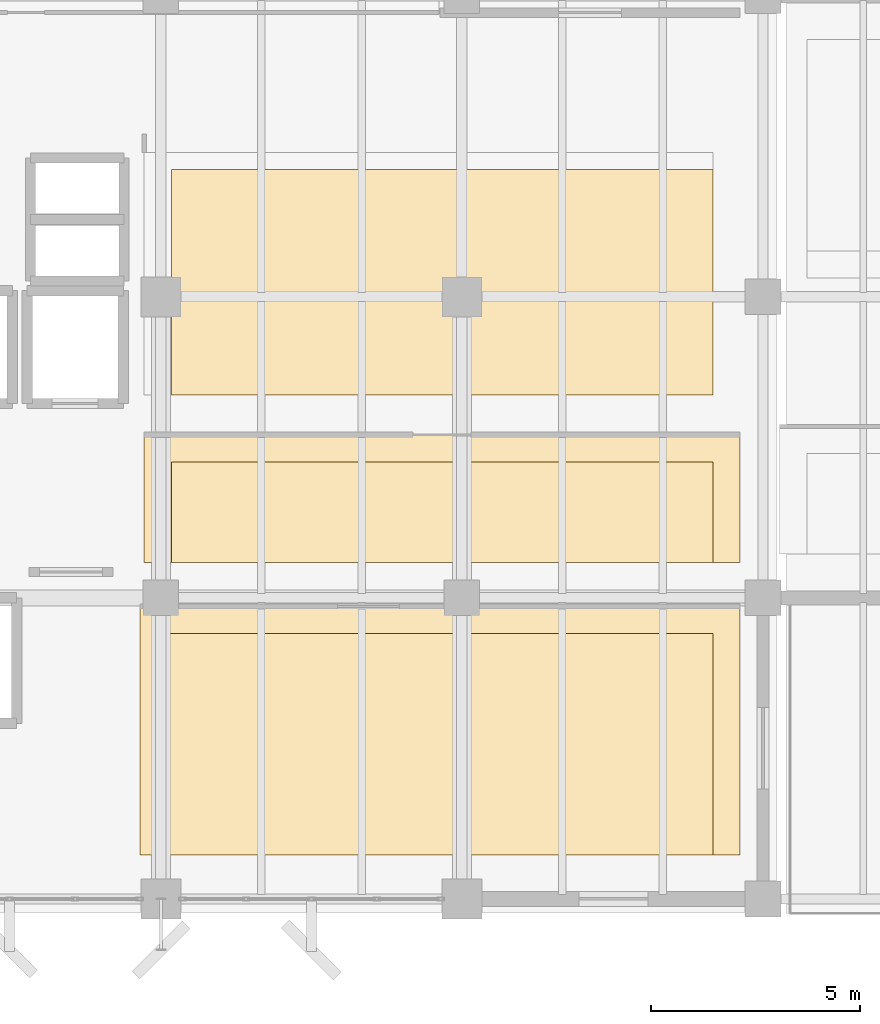
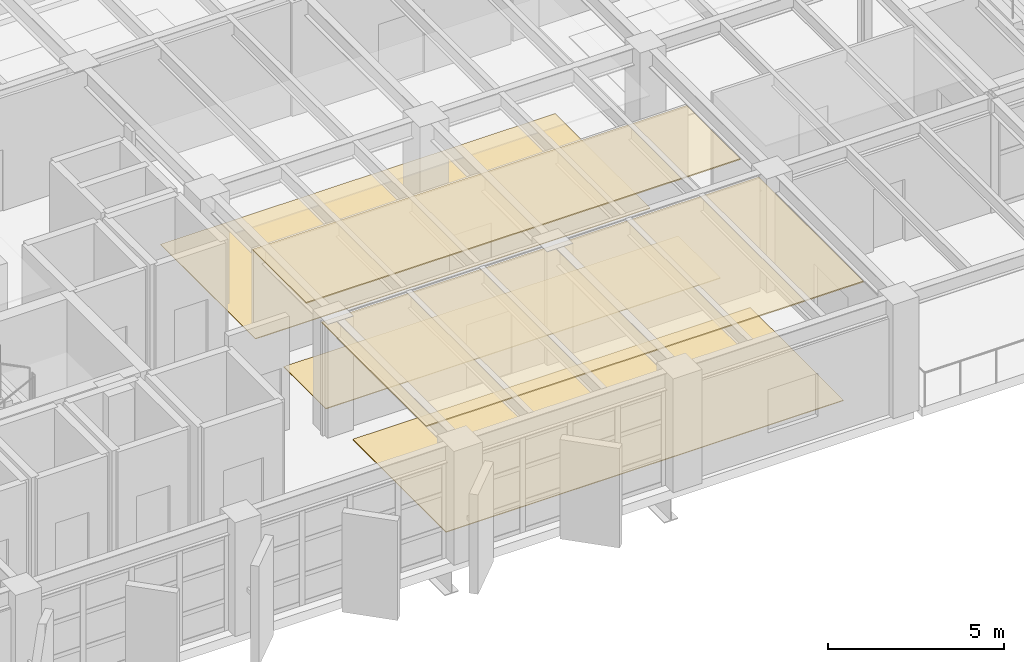
# One storey, part 51 of 59: 5 coverings.
"""IFC4 building model written with IfcOpenShell, lengths in metres."""

import ifcopenshell
import ifcopenshell.guid

model = None  # the IFC model being written
_history = None  # IfcOwnerHistory: only IFC2X3 demands one
_inside = {}  # id of a spatial element -> (the spatial element, [elements in it])
_under = {}  # id of a project, library or spatial element -> (it, [spatial elements below it])
_declared = {}  # id of a project -> (the project, [libraries it declares])
_typed = {}  # id of a type object -> (the type object, [elements of that type])
_made_of = {}  # id of a material, layer set ... -> (it, [elements and type objects made of it])


def new_model(schema):
    """Start an empty IFC model of exactly this schema.

    Asked for "IFC4X3", IfcOpenShell would pick the latest addendum, in which some entities
    have other attributes; the version numbers below select the first issue.
    IFC2X3 requires an IfcOwnerHistory on every rooted entity: one is made here for all.
    """
    global model, _history
    if schema == "IFC4X3":
        model = ifcopenshell.file(schema_version=(4, 3, 0, 0))
    else:
        model = ifcopenshell.file(schema=schema)
    _inside.clear()
    _under.clear()
    _declared.clear()
    _typed.clear()
    _made_of.clear()
    _history = None
    if model.schema == "IFC2X3":
        org = make("IfcOrganization", Name="unknown")
        user = make(
            "IfcPersonAndOrganization",
            ThePerson=make("IfcPerson", FamilyName="unknown"),
            TheOrganization=org,
        )
        app = make(
            "IfcApplication",
            ApplicationDeveloper=org,
            Version="unknown",
            ApplicationFullName="unknown",
            ApplicationIdentifier="unknown",
        )
        _history = make(
            "IfcOwnerHistory",
            OwningUser=user,
            OwningApplication=app,
            ChangeAction="ADDED",
            CreationDate=0,
        )
    return model


def make(cls, **values):
    """One entity of the class cls with the attributes given. An attribute that is None is left unset."""
    return model.create_entity(
        cls, **{name: value for name, value in values.items() if value is not None}
    )


def rooted(cls, **values):
    """An entity with a GlobalId (a new one), such as an element, a storey or a relation."""
    return make(cls, GlobalId=ifcopenshell.guid.new(), OwnerHistory=_history, **values)


def si_unit(unit_type, name, prefix=None):
    """IfcSIUnit, for example si_unit("LENGTHUNIT", "METRE", prefix="MILLI")."""
    return make("IfcSIUnit", UnitType=unit_type, Prefix=prefix, Name=name)


def assignment(units):
    """IfcUnitAssignment: the units of a project."""
    return None if units is None else make("IfcUnitAssignment", Units=units)


def point(xyz):
    """IfcCartesianPoint."""
    return None if xyz is None else make("IfcCartesianPoint", Coordinates=xyz)


def direction(xyz):
    """IfcDirection."""
    return None if xyz is None else make("IfcDirection", DirectionRatios=xyz)


def frame(location, z_axis=None, x_axis=None):
    """IfcAxis2Placement3D, a coordinate frame: its origin and axes. An axis left out is left unset."""
    return make(
        "IfcAxis2Placement3D",
        Location=point(location),
        Axis=direction(z_axis),
        RefDirection=direction(x_axis),
    )


def origin():
    """The frame at (0, 0, 0) with its axes left unset."""
    return frame((0.0, 0.0, 0.0))


def place(relative_to, where):
    """IfcLocalPlacement: puts the frame where relative to a parent placement (None: the world)."""
    return make(
        "IfcLocalPlacement", PlacementRelTo=relative_to, RelativePlacement=where
    )


def context(
    kind, dimensions, precision=None, world=None, true_north=None, identifier=None
):
    """IfcGeometricRepresentationContext, for example the 3D "Model" context."""
    return make(
        "IfcGeometricRepresentationContext",
        ContextIdentifier=identifier,
        ContextType=kind,
        CoordinateSpaceDimension=dimensions,
        Precision=precision,
        WorldCoordinateSystem=world,
        TrueNorth=true_north,
    )


def subcontext(parent, identifier, kind, view, scale=None):
    """IfcGeometricRepresentationSubContext, for example "Body" below "Model"."""
    return make(
        "IfcGeometricRepresentationSubContext",
        ContextIdentifier=identifier,
        ContextType=kind,
        ParentContext=parent,
        TargetScale=scale,
        TargetView=view,
    )


def project(units=None, contexts=None):
    """IfcProject with its units and contexts."""
    return rooted(
        "IfcProject",
        Name="project",
        RepresentationContexts=contexts,
        UnitsInContext=assignment(units),
    )


def spatial(cls, under=None, at=None, **own):
    """A site, building, storey or space (cls), placed at a placement, below another one or the project."""
    s = rooted(cls, ObjectPlacement=at, **own)
    if under is not None:
        _under.setdefault(under.id(), (under, []))[1].append(s)
    return s


def polyline(points):
    """IfcPolyline through the points."""
    return make("IfcPolyline", Points=[point(p) for p in points])


def outline(outer, holes=None, kind="AREA"):
    """IfcArbitraryClosedProfileDef: a profile drawn as a closed curve; with holes, ...WithVoids."""
    if holes is None:
        return make("IfcArbitraryClosedProfileDef", ProfileType=kind, OuterCurve=outer)
    return make(
        "IfcArbitraryProfileDefWithVoids",
        ProfileType=kind,
        OuterCurve=outer,
        InnerCurves=holes,
    )


def extrude(swept, where, along, depth):
    """IfcExtrudedAreaSolid: the profile swept, set in the frame where, extruded along a direction by depth."""
    return make(
        "IfcExtrudedAreaSolid",
        SweptArea=swept,
        Position=where,
        ExtrudedDirection=direction(along),
        Depth=depth,
    )


def shape(context_of_items, identifier, shape_type, items):
    """IfcShapeRepresentation: the items that make up one representation, for example the "Body"."""
    return make(
        "IfcShapeRepresentation",
        ContextOfItems=context_of_items,
        RepresentationIdentifier=identifier,
        RepresentationType=shape_type,
        Items=items,
    )


def material(Name=None, Category=None):
    """IfcMaterial."""
    return make("IfcMaterial", Name=Name, Category=Category)


def layer(
    of_material, thickness, ventilated=None, Name=None, Category=None, Priority=None
):
    """IfcMaterialLayer: one layer of a wall or slab, of a material (None: an air gap)."""
    return make(
        "IfcMaterialLayer",
        Material=of_material,
        LayerThickness=thickness,
        IsVentilated=ventilated,
        Name=Name,
        Category=Category,
        Priority=Priority,
    )


def layer_set(layers, Name=None):
    """IfcMaterialLayerSet."""
    return make("IfcMaterialLayerSet", MaterialLayers=layers, LayerSetName=Name)


def made_of(thing, what):
    """Note that an element or type object is made of a material, layer set ...; save() writes the relation."""
    if what is not None:
        _made_of.setdefault(what.id(), (what, []))[1].append(thing)
    return thing


def type_object(cls, material=None, **own):
    """A type object (cls), such as IfcWallType, which elements share."""
    return made_of(rooted(cls, **own), material)


def element(
    cls,
    number,
    at=None,
    inside=None,
    cuts=None,
    type_object=None,
    material=None,
    context=None,
    identifier="Body",
    shape_type=None,
    held_by="IfcProductDefinitionShape",
    body=None,
    shapes=None,
    **own,
):
    """One element of the class cls, such as IfcWall. Its Tag is "e" and its number.

    at: its placement. inside: the storey or other place that contains it. cuts: it is an
    opening in that element (IfcRelVoidsElement). A single representation is given by context,
    identifier, shape_type and body (its items); several are given by shapes. held_by: the class
    of the entity that holds the representations. save() writes the other relations.
    """
    e = rooted(cls, Tag="e%d" % number, ObjectPlacement=at, **own)
    if body is not None:
        shapes = [shape(context, identifier, shape_type, body)]
    if shapes is not None:
        e.Representation = make(held_by, Representations=shapes)
    if inside is not None:
        _inside.setdefault(inside.id(), (inside, []))[1].append(e)
    if cuts is not None:
        rooted(
            "IfcRelVoidsElement", RelatingBuildingElement=cuts, RelatedOpeningElement=e
        )
    if type_object is not None:
        _typed.setdefault(type_object.id(), (type_object, []))[1].append(e)
    return made_of(e, material)


def aggregate(whole, parts):
    """IfcRelAggregates: a whole, such as a stair, and the parts it consists of."""
    return rooted("IfcRelAggregates", RelatingObject=whole, RelatedObjects=parts)


def save(model, path):
    """Write the relations noted so far, then the file.

    IfcRelAggregates (storeys below a building ...), IfcRelContainedInSpatialStructure (elements
    in a storey), IfcRelDefinesByType, IfcRelAssociatesMaterial and IfcRelDeclares: one each for
    every whole, place, type object, material and project.
    """
    for whole, parts in _under.values():
        aggregate(whole, parts)
    for where, things in _inside.values():
        rooted(
            "IfcRelContainedInSpatialStructure",
            RelatedElements=things,
            RelatingStructure=where,
        )
    for kind, things in _typed.values():
        rooted("IfcRelDefinesByType", RelatedObjects=things, RelatingType=kind)
    for what, things in _made_of.values():
        rooted("IfcRelAssociatesMaterial", RelatedObjects=things, RelatingMaterial=what)
    for by, libraries in _declared.values():
        rooted("IfcRelDeclares", RelatingContext=by, RelatedDefinitions=libraries)
    model.write(path)


model = new_model("IFC4")

# Units and contexts
model_context = context("Model", 3, precision=1e-05, world=origin(), true_north=direction((0.0, 1.0)))
body_context = subcontext(model_context, "Body", "Model", "MODEL_VIEW")
ifc_project = project(units=[si_unit("LENGTHUNIT", "METRE"), si_unit("AREAUNIT", "SQUARE_METRE"), si_unit("VOLUMEUNIT", "CUBIC_METRE"), si_unit("PLANEANGLEUNIT", "RADIAN"), si_unit("MASSUNIT", "GRAM", prefix="KILO")], contexts=[model_context])

# Site, building, storey
site_placement = place(None, origin())
site = spatial("IfcSite", under=ifc_project, at=site_placement, CompositionType="ELEMENT")
building_placement = place(site_placement, origin())
building = spatial("IfcBuilding", under=site, at=building_placement, Name="Kandorven Conservatory and Botanical Research Centre", CompositionType="ELEMENT")
storey_placement = place(building_placement, frame((0.0, 0.0, 4.800048828125)))
storey = spatial("IfcBuildingStorey", under=building, at=storey_placement, Name="L01", CompositionType="ELEMENT", Elevation=4.800048828125)

# Coverings
ifc_material_1 = material(Name="Perforated mineral-fibre acoustic ceiling tile", Category="gypsum")
ifc_layer_1 = layer(ifc_material_1, 0.0400390625)
ifc_layer_set_1 = layer_set([ifc_layer_1], Name="Perforated mineral-fibre acoustic ceiling tile")
covering_type_1 = type_object("IfcCoveringType", Name="Cov_Ceiling_1", PredefinedType="CEILING", material=ifc_layer_set_1)
covering_1_placement = place(storey_placement, frame((0.0, 0.0, 3.889892578125)))
element("IfcCovering", 1, at=covering_1_placement, inside=storey, type_object=covering_type_1, Name="Suspended acoustic ceiling CLG-01 (Plant Pathology Research Laboratory L01)", PredefinedType="CEILING", context=body_context, shape_type="SweptSolid", body=[
    extrude(outline(polyline([(27.199951171875, 14.050048828125), (41.449951171875, 14.050048828125), (41.449951171875, 17.10009765625), (27.199951171875, 17.10009765625), (27.199951171875, 14.050048828125)])), origin(), (0.0, 0.0, 1.0), 0.0400390625),
])
covering_2_placement = place(storey_placement, frame((0.0, 0.0, 3.889892578125)))
element("IfcCovering", 2, at=covering_2_placement, inside=storey, type_object=covering_type_1, Name="Suspended acoustic ceiling CLG-01 (Molecular Genetics Research Laboratory)", PredefinedType="CEILING", context=body_context, shape_type="SweptSolid", body=[
    extrude(outline(polyline([(27.10009765625, 7.050048828125), (41.449951171875, 7.050048828125), (41.449951171875, 13.0), (27.10009765625, 13.0), (27.10009765625, 7.050048828125)])), origin(), (0.0, 0.0, 1.0), 0.0400390625),
])
ifc_material_2 = material(Name="Honed Kota stone and epoxy laboratory flooring", Category="masonry")
ifc_layer_2 = layer(ifc_material_2, 0.02490234375)
ifc_layer_set_2 = layer_set([ifc_layer_2], Name="Honed Kota stone and epoxy laboratory flooring")
covering_type_2 = type_object("IfcCoveringType", Name="Cov_Flooring_1", PredefinedType="FLOORING", material=ifc_layer_set_2)
covering_3_placement = place(storey_placement, origin())
element("IfcCovering", 3, at=covering_3_placement, inside=storey, type_object=covering_type_2, Name="Floor finish FLR-01 (Plant Pathology Research Laboratory L01)", PredefinedType="FLOORING", context=body_context, shape_type="SweptSolid", body=[
    extrude(outline(polyline([(27.85009765625, 14.050048828125), (40.800048828125, 14.050048828125), (40.800048828125, 16.449951171875), (27.85009765625, 16.449951171875), (27.85009765625, 14.050048828125)])), origin(), (0.0, 0.0, 1.0), 0.02490234375),
])
covering_4_placement = place(storey_placement, origin())
element("IfcCovering", 4, at=covering_4_placement, inside=storey, type_object=covering_type_2, Name="Floor finish FLR-01 (Molecular Genetics Research Laboratory)", PredefinedType="FLOORING", context=body_context, shape_type="SweptSolid", body=[
    extrude(outline(polyline([(27.75, 7.050048828125), (40.800048828125, 7.050048828125), (40.800048828125, 12.35009765625), (27.75, 12.35009765625), (27.75, 7.050048828125)])), origin(), (0.0, 0.0, 1.0), 0.02490234375),
])
covering_5_placement = place(storey_placement, origin())
element("IfcCovering", 5, at=covering_5_placement, inside=storey, type_object=covering_type_2, Name="Floor finish FLR-01 (DNA Sequencing and PCR Research Laboratory)", PredefinedType="FLOORING", context=body_context, shape_type="SweptSolid", body=[
    extrude(outline(polyline([(27.85009765625, 18.050048828125), (40.800048828125, 18.050048828125), (40.800048828125, 23.449951171875), (27.85009765625, 23.449951171875), (27.85009765625, 18.050048828125)])), origin(), (0.0, 0.0, 1.0), 0.02490234375),
])

save(model, "model.ifc")
